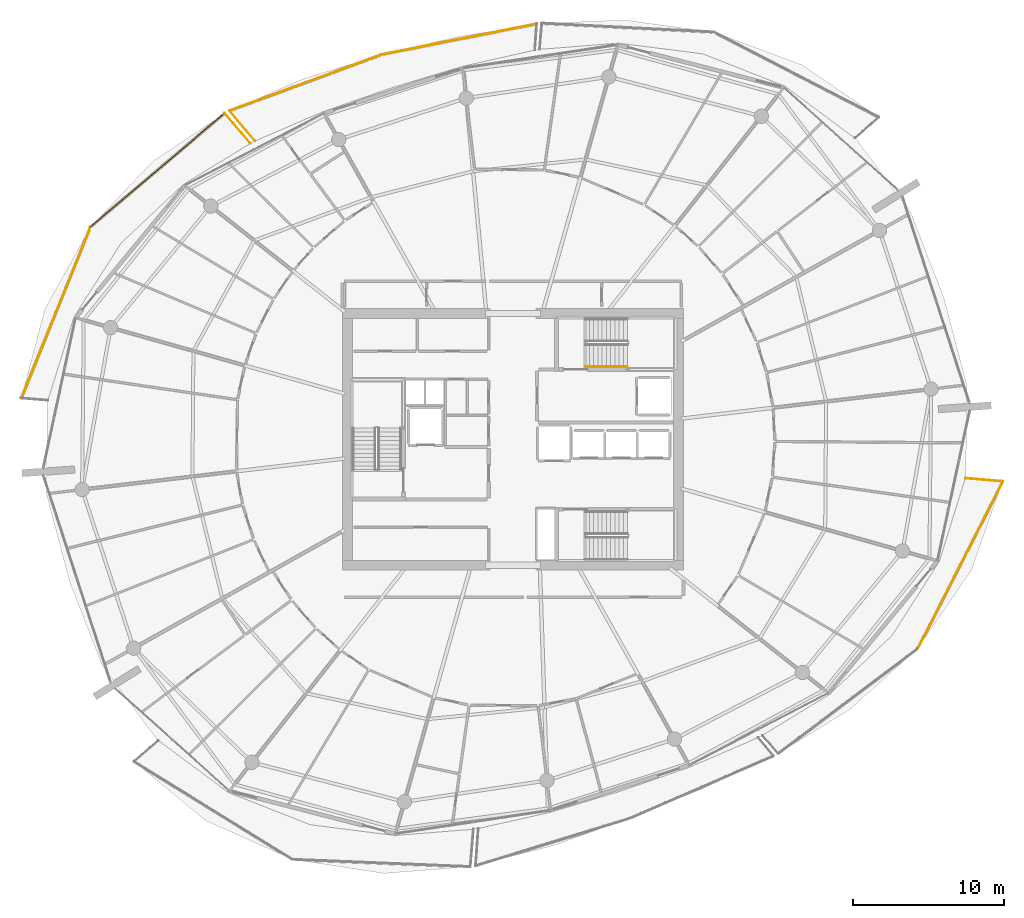
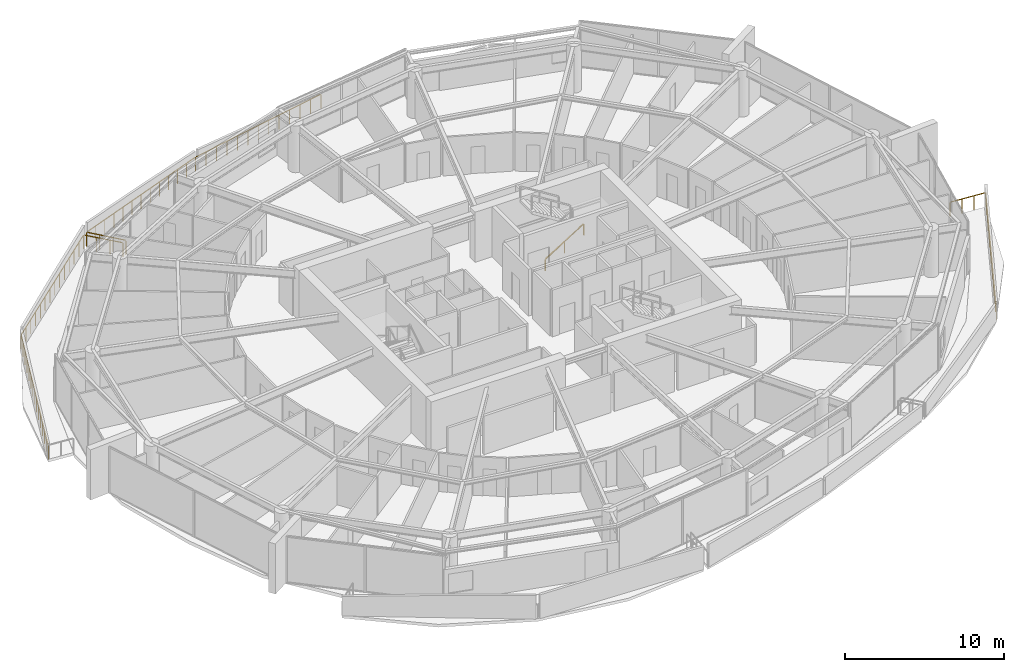
# One storey, part 29 of 31: 9 railings.
"""IFC4 building model written with IfcOpenShell, lengths in metres."""

from ifc_helpers import new_model, si_unit, direction, frame, origin, origin_2d, place, context, subcontext, project, spatial, rectangle, extrude, material, type_object, element, save


model = new_model("IFC4")

# Units and contexts
model_context = context("Model", 3, precision=1e-05, world=origin(), true_north=direction((0.0, 1.0)))
body_context = subcontext(model_context, "Body", "Model", "MODEL_VIEW")
ifc_project = project(units=[si_unit("LENGTHUNIT", "METRE"), si_unit("AREAUNIT", "SQUARE_METRE"), si_unit("VOLUMEUNIT", "CUBIC_METRE"), si_unit("PLANEANGLEUNIT", "RADIAN"), si_unit("MASSUNIT", "GRAM", prefix="KILO")], contexts=[model_context])

# Site, building, storey
site_placement = place(None, origin())
site = spatial("IfcSite", under=ifc_project, at=site_placement, CompositionType="ELEMENT")
building_placement = place(site_placement, origin())
building = spatial("IfcBuilding", under=site, at=building_placement, Name="Kazma Halo Residences", CompositionType="ELEMENT")
storey_placement = place(building_placement, frame((0.0, 0.0, 240.550048828125)))
storey = spatial("IfcBuildingStorey", under=building, at=storey_placement, Name="L60", CompositionType="ELEMENT", Elevation=240.550048828125)

# Railings
ifc_material_1 = material(Name="Aluminium AW-6063 T6 Brushed Cap Rail", Category="aluminium")
railing_type_1 = type_object("IfcRailingType", Name="RLG-BAL-CAP-1120", PredefinedType="BALUSTRADE", material=ifc_material_1)
railing_1_placement = place(storey_placement, frame((49.994384765625, 69.486083984375, 0.0)))
element("IfcRailing", 1, at=railing_1_placement, inside=storey, type_object=railing_type_1, Name="L60 NNW wave balcony guard 2", PredefinedType="BALUSTRADE", context=body_context, shape_type="SweptSolid", body=[
    extrude(rectangle(XDim=0.050048828125, YDim=0.050048828125, at=origin_2d()), frame((-0.041748046875, -0.00830078125, 1.09521484375), z_axis=(-0.980921977936, -0.19440183436, 0.0), x_axis=(0.19440183436, -0.980921977936, 0.0)), (0.0, 0.0, 1.0), 10.378662109375),
    extrude(rectangle(XDim=0.0400390625, YDim=0.0400390625, at=origin_2d()), origin(), (0.0, 0.0, 1.0), 1.05810546875),
    extrude(rectangle(XDim=0.0400390625, YDim=0.0400390625, at=origin_2d()), frame((-0.85546875, -0.16943359375, 0.0)), (0.0, 0.0, 1.0), 1.05810546875),
    extrude(rectangle(XDim=0.0400390625, YDim=0.0400390625, at=origin_2d()), frame((-1.710693359375, -0.339111328125, 0.0)), (0.0, 0.0, 1.0), 1.05810546875),
    extrude(rectangle(XDim=0.0400390625, YDim=0.0400390625, at=origin_2d()), frame((-2.56591796875, -0.508544921875, 0.0)), (0.0, 0.0, 1.0), 1.05810546875),
    extrude(rectangle(XDim=0.0400390625, YDim=0.0400390625, at=origin_2d()), frame((-3.42138671875, -0.677978515625, 0.0)), (0.0, 0.0, 1.0), 1.05810546875),
    extrude(rectangle(XDim=0.0400390625, YDim=0.0400390625, at=origin_2d()), frame((-4.27685546875, -0.84765625, 0.0)), (0.0, 0.0, 1.0), 1.05810546875),
    extrude(rectangle(XDim=0.0400390625, YDim=0.0400390625, at=origin_2d()), frame((-5.132080078125, -1.01708984375, 0.0)), (0.0, 0.0, 1.0), 1.05810546875),
    extrude(rectangle(XDim=0.0400390625, YDim=0.0400390625, at=origin_2d()), frame((-5.9873046875, -1.1865234375, 0.0)), (0.0, 0.0, 1.0), 1.05810546875),
    extrude(rectangle(XDim=0.0400390625, YDim=0.0400390625, at=origin_2d()), frame((-6.8427734375, -1.356201171875, 0.0)), (0.0, 0.0, 1.0), 1.05810546875),
    extrude(rectangle(XDim=0.0400390625, YDim=0.0400390625, at=origin_2d()), frame((-7.6982421875, -1.525634765625, 0.0)), (0.0, 0.0, 1.0), 1.05810546875),
    extrude(rectangle(XDim=0.0400390625, YDim=0.0400390625, at=origin_2d()), frame((-8.553466796875, -1.695068359375, 0.0)), (0.0, 0.0, 1.0), 1.05810546875),
    extrude(rectangle(XDim=0.0400390625, YDim=0.0400390625, at=origin_2d()), frame((-9.40869140625, -1.86474609375, 0.0)), (0.0, 0.0, 1.0), 1.05810546875),
    extrude(rectangle(XDim=0.0400390625, YDim=0.0400390625, at=origin_2d()), frame((-10.26416015625, -2.0341796875, 0.0)), (0.0, 0.0, 1.0), 1.05810546875),
])
railing_2_placement = place(storey_placement, frame((39.730224609375, 67.451904296875, 0.0)))
element("IfcRailing", 2, at=railing_2_placement, inside=storey, type_object=railing_type_1, Name="L60 NNW wave balcony guard 3", PredefinedType="BALUSTRADE", context=body_context, shape_type="SweptSolid", body=[
    extrude(rectangle(XDim=0.050048828125, YDim=0.050048828125, at=origin_2d()), frame((-0.039794921875, -0.0146484375, 1.09521484375), z_axis=(-0.938192314646, -0.34611440412, 0.0), x_axis=(0.34611440412, -0.938192314646, 0.0)), (0.0, 0.0, 1.0), 10.645751953125),
    extrude(rectangle(XDim=0.0400390625, YDim=0.0400390625, at=origin_2d()), origin(), (0.0, 0.0, 1.0), 1.05810546875),
    extrude(rectangle(XDim=0.0400390625, YDim=0.0400390625, at=origin_2d()), frame((-0.8388671875, -0.3095703125, 0.0)), (0.0, 0.0, 1.0), 1.05810546875),
    extrude(rectangle(XDim=0.0400390625, YDim=0.0400390625, at=origin_2d()), frame((-1.677978515625, -0.619140625, 0.0)), (0.0, 0.0, 1.0), 1.05810546875),
    extrude(rectangle(XDim=0.0400390625, YDim=0.0400390625, at=origin_2d()), frame((-2.516845703125, -0.928466796875, 0.0)), (0.0, 0.0, 1.0), 1.05810546875),
    extrude(rectangle(XDim=0.0400390625, YDim=0.0400390625, at=origin_2d()), frame((-3.35595703125, -1.238037109375, 0.0)), (0.0, 0.0, 1.0), 1.05810546875),
    extrude(rectangle(XDim=0.0400390625, YDim=0.0400390625, at=origin_2d()), frame((-4.19482421875, -1.547607421875, 0.0)), (0.0, 0.0, 1.0), 1.05810546875),
    extrude(rectangle(XDim=0.0400390625, YDim=0.0400390625, at=origin_2d()), frame((-5.03369140625, -1.85693359375, 0.0)), (0.0, 0.0, 1.0), 1.05810546875),
    extrude(rectangle(XDim=0.0400390625, YDim=0.0400390625, at=origin_2d()), frame((-5.872802734375, -2.16650390625, 0.0)), (0.0, 0.0, 1.0), 1.05810546875),
    extrude(rectangle(XDim=0.0400390625, YDim=0.0400390625, at=origin_2d()), frame((-6.711669921875, -2.47607421875, 0.0)), (0.0, 0.0, 1.0), 1.05810546875),
    extrude(rectangle(XDim=0.0400390625, YDim=0.0400390625, at=origin_2d()), frame((-7.55078125, -2.78564453125, 0.0)), (0.0, 0.0, 1.0), 1.05810546875),
    extrude(rectangle(XDim=0.0400390625, YDim=0.0400390625, at=origin_2d()), frame((-8.3896484375, -3.09521484375, 0.0)), (0.0, 0.0, 1.0), 1.05810546875),
    extrude(rectangle(XDim=0.0400390625, YDim=0.0400390625, at=origin_2d()), frame((-9.228759765625, -3.404541015625, 0.0)), (0.0, 0.0, 1.0), 1.05810546875),
    extrude(rectangle(XDim=0.0400390625, YDim=0.0400390625, at=origin_2d()), frame((-10.067626953125, -3.714111328125, 0.0)), (0.0, 0.0, 1.0), 1.05810546875),
])
railing_3_placement = place(storey_placement, frame((29.66259765625, 63.73779296875, 0.0)))
element("IfcRailing", 3, at=railing_3_placement, inside=storey, type_object=railing_type_1, Name="L60 NNW wave balcony guard 4", PredefinedType="BALUSTRADE", context=body_context, shape_type="SweptSolid", body=[
    extrude(rectangle(XDim=0.050048828125, YDim=0.050048828125, at=origin_2d()), frame((0.02734375, -0.032470703125, 1.09521484375), z_axis=(0.644828498892, -0.764327290509, 0.0), x_axis=(0.764327290509, 0.644828498892, 0.0)), (0.0, 0.0, 1.0), 2.540283203125),
    extrude(rectangle(XDim=0.0400390625, YDim=0.0400390625, at=origin_2d()), origin(), (0.0, 0.0, 1.0), 1.05810546875),
    extrude(rectangle(XDim=0.0400390625, YDim=0.0400390625, at=origin_2d()), frame((0.564208984375, -0.6689453125, 0.0)), (0.0, 0.0, 1.0), 1.05810546875),
    extrude(rectangle(XDim=0.0400390625, YDim=0.0400390625, at=origin_2d()), frame((1.128662109375, -1.337646484375, 0.0)), (0.0, 0.0, 1.0), 1.05810546875),
    extrude(rectangle(XDim=0.0400390625, YDim=0.0400390625, at=origin_2d()), frame((1.69287109375, -2.006591796875, 0.0)), (0.0, 0.0, 1.0), 1.05810546875),
])
railing_4_placement = place(storey_placement, frame((31.06787109375, 61.58154296875, 0.0)))
element("IfcRailing", 4, at=railing_4_placement, inside=storey, type_object=railing_type_1, Name="L60 NW wave balcony guard 1", PredefinedType="BALUSTRADE", context=body_context, shape_type="SweptSolid", body=[
    extrude(rectangle(XDim=0.050048828125, YDim=0.050048828125, at=origin_2d()), frame((-0.02783203125, 0.0322265625, 1.09521484375), z_axis=(-0.654057200306, 0.756445093002, 0.0), x_axis=(-0.756445093002, -0.654057200306, 0.0)), (0.0, 0.0, 1.0), 2.544921875),
    extrude(rectangle(XDim=0.0400390625, YDim=0.0400390625, at=origin_2d()), origin(), (0.0, 0.0, 1.0), 1.05810546875),
    extrude(rectangle(XDim=0.0400390625, YDim=0.0400390625, at=origin_2d()), frame((-0.573486328125, 0.6630859375, 0.0)), (0.0, 0.0, 1.0), 1.05810546875),
    extrude(rectangle(XDim=0.0400390625, YDim=0.0400390625, at=origin_2d()), frame((-1.146728515625, 1.326416015625, 0.0)), (0.0, 0.0, 1.0), 1.05810546875),
    extrude(rectangle(XDim=0.0400390625, YDim=0.0400390625, at=origin_2d()), frame((-1.72021484375, 1.989501953125, 0.0)), (0.0, 0.0, 1.0), 1.05810546875),
])
railing_5_placement = place(storey_placement, frame((29.34765625, 63.571044921875, 0.0)))
element("IfcRailing", 5, at=railing_5_placement, inside=storey, type_object=railing_type_1, Name="L60 NW wave balcony guard 2", PredefinedType="BALUSTRADE", context=body_context, shape_type="SweptSolid", body=[
    extrude(rectangle(XDim=0.050048828125, YDim=0.050048828125, at=origin_2d()), frame((-0.032470703125, -0.027587890625, 1.09521484375), z_axis=(-0.762726414498, -0.646721282028, 0.0), x_axis=(0.646721282028, -0.762726414498, 0.0)), (0.0, 0.0, 1.0), 11.570068359375),
    extrude(rectangle(XDim=0.0400390625, YDim=0.0400390625, at=origin_2d()), origin(), (0.0, 0.0, 1.0), 1.05810546875),
    extrude(rectangle(XDim=0.0400390625, YDim=0.0400390625, at=origin_2d()), frame((-0.683837890625, -0.579833984375, 0.0)), (0.0, 0.0, 1.0), 1.05810546875),
    extrude(rectangle(XDim=0.0400390625, YDim=0.0400390625, at=origin_2d()), frame((-1.36767578125, -1.15966796875, 0.0)), (0.0, 0.0, 1.0), 1.05810546875),
    extrude(rectangle(XDim=0.0400390625, YDim=0.0400390625, at=origin_2d()), frame((-2.051513671875, -1.739501953125, 0.0)), (0.0, 0.0, 1.0), 1.05810546875),
    extrude(rectangle(XDim=0.0400390625, YDim=0.0400390625, at=origin_2d()), frame((-2.7353515625, -2.3193359375, 0.0)), (0.0, 0.0, 1.0), 1.05810546875),
    extrude(rectangle(XDim=0.0400390625, YDim=0.0400390625, at=origin_2d()), frame((-3.419189453125, -2.899169921875, 0.0)), (0.0, 0.0, 1.0), 1.05810546875),
    extrude(rectangle(XDim=0.0400390625, YDim=0.0400390625, at=origin_2d()), frame((-4.10302734375, -3.47900390625, 0.0)), (0.0, 0.0, 1.0), 1.05810546875),
    extrude(rectangle(XDim=0.0400390625, YDim=0.0400390625, at=origin_2d()), frame((-4.78662109375, -4.05859375, 0.0)), (0.0, 0.0, 1.0), 1.05810546875),
    extrude(rectangle(XDim=0.0400390625, YDim=0.0400390625, at=origin_2d()), frame((-5.470458984375, -4.638427734375, 0.0)), (0.0, 0.0, 1.0), 1.05810546875),
    extrude(rectangle(XDim=0.0400390625, YDim=0.0400390625, at=origin_2d()), frame((-6.154296875, -5.21826171875, 0.0)), (0.0, 0.0, 1.0), 1.05810546875),
    extrude(rectangle(XDim=0.0400390625, YDim=0.0400390625, at=origin_2d()), frame((-6.838134765625, -5.798095703125, 0.0)), (0.0, 0.0, 1.0), 1.05810546875),
    extrude(rectangle(XDim=0.0400390625, YDim=0.0400390625, at=origin_2d()), frame((-7.52197265625, -6.3779296875, 0.0)), (0.0, 0.0, 1.0), 1.05810546875),
    extrude(rectangle(XDim=0.0400390625, YDim=0.0400390625, at=origin_2d()), frame((-8.205810546875, -6.957763671875, 0.0)), (0.0, 0.0, 1.0), 1.05810546875),
    extrude(rectangle(XDim=0.0400390625, YDim=0.0400390625, at=origin_2d()), frame((-8.8896484375, -7.53759765625, 0.0)), (0.0, 0.0, 1.0), 1.05810546875),
])
railing_6_placement = place(storey_placement, frame((20.4580078125, 56.033447265625, 0.0)))
element("IfcRailing", 6, at=railing_6_placement, inside=storey, type_object=railing_type_1, Name="L60 NW wave balcony guard 3", PredefinedType="BALUSTRADE", context=body_context, shape_type="SweptSolid", body=[
    extrude(rectangle(XDim=0.050048828125, YDim=0.050048828125, at=origin_2d()), frame((-0.015869140625, -0.03955078125, 1.09521484375), z_axis=(-0.374095261737, -0.927390281999, 0.0), x_axis=(0.927390281999, -0.374095261737, 0.0)), (0.0, 0.0, 1.0), 12.109619140625),
    extrude(rectangle(XDim=0.0400390625, YDim=0.0400390625, at=origin_2d()), origin(), (0.0, 0.0, 1.0), 1.05810546875),
    extrude(rectangle(XDim=0.0400390625, YDim=0.0400390625, at=origin_2d()), frame((-0.325927734375, -0.807861328125, 0.0)), (0.0, 0.0, 1.0), 1.05810546875),
    extrude(rectangle(XDim=0.0400390625, YDim=0.0400390625, at=origin_2d()), frame((-0.651611328125, -1.61572265625, 0.0)), (0.0, 0.0, 1.0), 1.05810546875),
    extrude(rectangle(XDim=0.0400390625, YDim=0.0400390625, at=origin_2d()), frame((-0.9775390625, -2.42333984375, 0.0)), (0.0, 0.0, 1.0), 1.05810546875),
    extrude(rectangle(XDim=0.0400390625, YDim=0.0400390625, at=origin_2d()), frame((-1.303466796875, -3.231201171875, 0.0)), (0.0, 0.0, 1.0), 1.05810546875),
    extrude(rectangle(XDim=0.0400390625, YDim=0.0400390625, at=origin_2d()), frame((-1.62939453125, -4.0390625, 0.0)), (0.0, 0.0, 1.0), 1.05810546875),
    extrude(rectangle(XDim=0.0400390625, YDim=0.0400390625, at=origin_2d()), frame((-1.955078125, -4.846923828125, 0.0)), (0.0, 0.0, 1.0), 1.05810546875),
    extrude(rectangle(XDim=0.0400390625, YDim=0.0400390625, at=origin_2d()), frame((-2.281005859375, -5.65478515625, 0.0)), (0.0, 0.0, 1.0), 1.05810546875),
    extrude(rectangle(XDim=0.0400390625, YDim=0.0400390625, at=origin_2d()), frame((-2.60693359375, -6.46240234375, 0.0)), (0.0, 0.0, 1.0), 1.05810546875),
    extrude(rectangle(XDim=0.0400390625, YDim=0.0400390625, at=origin_2d()), frame((-2.9326171875, -7.270263671875, 0.0)), (0.0, 0.0, 1.0), 1.05810546875),
    extrude(rectangle(XDim=0.0400390625, YDim=0.0400390625, at=origin_2d()), frame((-3.258544921875, -8.078125, 0.0)), (0.0, 0.0, 1.0), 1.05810546875),
    extrude(rectangle(XDim=0.0400390625, YDim=0.0400390625, at=origin_2d()), frame((-3.58447265625, -8.885986328125, 0.0)), (0.0, 0.0, 1.0), 1.05810546875),
    extrude(rectangle(XDim=0.0400390625, YDim=0.0400390625, at=origin_2d()), frame((-3.910400390625, -9.693603515625, 0.0)), (0.0, 0.0, 1.0), 1.05810546875),
    extrude(rectangle(XDim=0.0400390625, YDim=0.0400390625, at=origin_2d()), frame((-4.236083984375, -10.50146484375, 0.0)), (0.0, 0.0, 1.0), 1.05810546875),
    extrude(rectangle(XDim=0.0400390625, YDim=0.0400390625, at=origin_2d()), frame((-4.56201171875, -11.309326171875, 0.0)), (0.0, 0.0, 1.0), 1.05810546875),
])
railing_7_placement = place(storey_placement, frame((75.1875, 28.147216796875, 0.0)))
element("IfcRailing", 7, at=railing_7_placement, inside=storey, type_object=railing_type_1, Name="L60 SE wave balcony guard 3", PredefinedType="BALUSTRADE", context=body_context, shape_type="SweptSolid", body=[
    extrude(rectangle(XDim=0.050048828125, YDim=0.050048828125, at=origin_2d()), frame((0.019287109375, 0.037841796875, 1.09521484375), z_axis=(0.453751445386, 0.891128288077, 0.0), x_axis=(-0.891128288077, 0.453751445386, 0.0)), (0.0, 0.0, 1.0), 12.334716796875),
    extrude(rectangle(XDim=0.0400390625, YDim=0.0400390625, at=origin_2d()), origin(), (0.0, 0.0, 1.0), 1.05810546875),
    extrude(rectangle(XDim=0.0400390625, YDim=0.0400390625, at=origin_2d()), frame((0.402587890625, 0.79052734375, 0.0)), (0.0, 0.0, 1.0), 1.05810546875),
    extrude(rectangle(XDim=0.0400390625, YDim=0.0400390625, at=origin_2d()), frame((0.80517578125, 1.5810546875, 0.0)), (0.0, 0.0, 1.0), 1.05810546875),
    extrude(rectangle(XDim=0.0400390625, YDim=0.0400390625, at=origin_2d()), frame((1.20751953125, 2.37158203125, 0.0)), (0.0, 0.0, 1.0), 1.05810546875),
    extrude(rectangle(XDim=0.0400390625, YDim=0.0400390625, at=origin_2d()), frame((1.610107421875, 3.162109375, 0.0)), (0.0, 0.0, 1.0), 1.05810546875),
    extrude(rectangle(XDim=0.0400390625, YDim=0.0400390625, at=origin_2d()), frame((2.0126953125, 3.95263671875, 0.0)), (0.0, 0.0, 1.0), 1.05810546875),
    extrude(rectangle(XDim=0.0400390625, YDim=0.0400390625, at=origin_2d()), frame((2.415283203125, 4.7431640625, 0.0)), (0.0, 0.0, 1.0), 1.05810546875),
    extrude(rectangle(XDim=0.0400390625, YDim=0.0400390625, at=origin_2d()), frame((2.81787109375, 5.53369140625, 0.0)), (0.0, 0.0, 1.0), 1.05810546875),
    extrude(rectangle(XDim=0.0400390625, YDim=0.0400390625, at=origin_2d()), frame((3.22021484375, 6.324462890625, 0.0)), (0.0, 0.0, 1.0), 1.05810546875),
    extrude(rectangle(XDim=0.0400390625, YDim=0.0400390625, at=origin_2d()), frame((3.622802734375, 7.114990234375, 0.0)), (0.0, 0.0, 1.0), 1.05810546875),
    extrude(rectangle(XDim=0.0400390625, YDim=0.0400390625, at=origin_2d()), frame((4.025390625, 7.905517578125, 0.0)), (0.0, 0.0, 1.0), 1.05810546875),
    extrude(rectangle(XDim=0.0400390625, YDim=0.0400390625, at=origin_2d()), frame((4.427978515625, 8.696044921875, 0.0)), (0.0, 0.0, 1.0), 1.05810546875),
    extrude(rectangle(XDim=0.0400390625, YDim=0.0400390625, at=origin_2d()), frame((4.830322265625, 9.486572265625, 0.0)), (0.0, 0.0, 1.0), 1.05810546875),
    extrude(rectangle(XDim=0.0400390625, YDim=0.0400390625, at=origin_2d()), frame((5.23291015625, 10.277099609375, 0.0)), (0.0, 0.0, 1.0), 1.05810546875),
    extrude(rectangle(XDim=0.0400390625, YDim=0.0400390625, at=origin_2d()), frame((5.635498046875, 11.067626953125, 0.0)), (0.0, 0.0, 1.0), 1.05810546875),
])
railing_8_placement = place(storey_placement, frame((80.822998046875, 39.21484375, 0.0)))
element("IfcRailing", 8, at=railing_8_placement, inside=storey, type_object=railing_type_1, Name="L60 SE wave balcony guard 4", PredefinedType="BALUSTRADE", context=body_context, shape_type="SweptSolid", body=[
    extrude(rectangle(XDim=0.050048828125, YDim=0.050048828125, at=origin_2d()), frame((-0.04248046875, 0.003662109375, 1.09521484375), z_axis=(-0.996414964781, 0.084600342552, 0.0), x_axis=(-0.084600342552, -0.996414964781, 0.0)), (0.0, 0.0, 1.0), 2.396728515625),
    extrude(rectangle(XDim=0.0400390625, YDim=0.0400390625, at=origin_2d()), origin(), (0.0, 0.0, 1.0), 1.05810546875),
    extrude(rectangle(XDim=0.0400390625, YDim=0.0400390625, at=origin_2d()), frame((-0.82421875, 0.070068359375, 0.0)), (0.0, 0.0, 1.0), 1.05810546875),
    extrude(rectangle(XDim=0.0400390625, YDim=0.0400390625, at=origin_2d()), frame((-1.648681640625, 0.139892578125, 0.0)), (0.0, 0.0, 1.0), 1.05810546875),
    extrude(rectangle(XDim=0.0400390625, YDim=0.0400390625, at=origin_2d()), frame((-2.472900390625, 0.2099609375, 0.0)), (0.0, 0.0, 1.0), 1.05810546875),
])
ifc_material_2 = material(Name="Brushed Stainless Steel", Category="steel")
railing_type_2 = type_object("IfcRailingType", Name="RLG-STAIR-HND-900", PredefinedType="HANDRAIL", material=ifc_material_2)
railing_9_placement = place(storey_placement, frame((53.199951171875, 46.800048828125, 0.175048828125)))
element("IfcRailing", 9, at=railing_9_placement, inside=storey, type_object=railing_type_2, Name="L60 ST-02 stair handrail 1", PredefinedType="HANDRAIL", context=body_context, shape_type="SweptSolid", body=[
    extrude(rectangle(XDim=0.050048828125, YDim=0.050048828125, at=origin_2d()), frame((0.0361328125, 0.0, 0.8974609375), z_axis=(0.848002457836, 0.0, 0.529992293815), x_axis=(0.0, 1.0, 0.0)), (0.0, 0.0, 1.0), 3.216796875),
    extrude(rectangle(XDim=0.0400390625, YDim=0.0400390625, at=origin_2d()), origin(), (0.0, 0.0, 1.0), 0.837890625),
    extrude(rectangle(XDim=0.0400390625, YDim=0.0400390625, at=origin_2d()), frame((1.39990234375, 0.0, 0.875)), (0.0, 0.0, 1.0), 0.837890625),
    extrude(rectangle(XDim=0.0400390625, YDim=0.0400390625, at=origin_2d()), frame((2.800048828125, 0.0, 1.75)), (0.0, 0.0, 1.0), 0.837890625),
])

save(model, "model.ifc")
